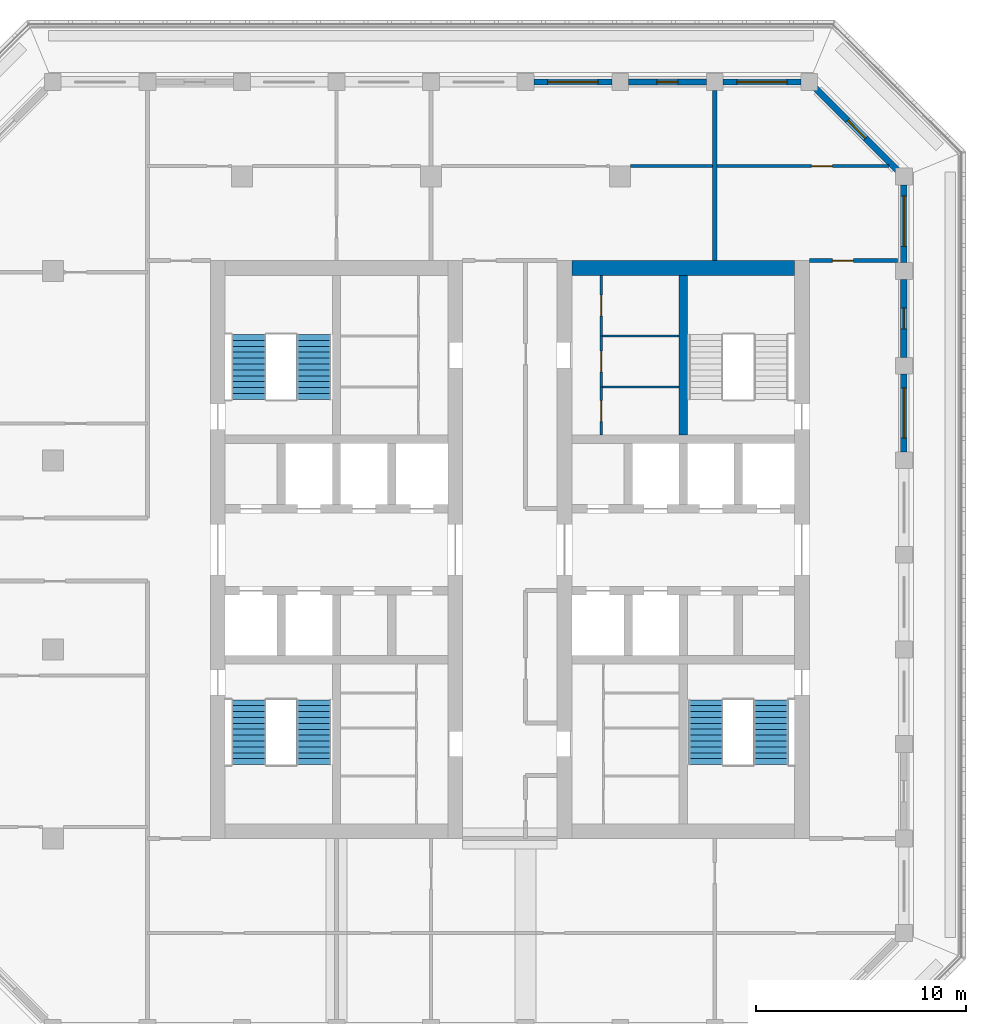
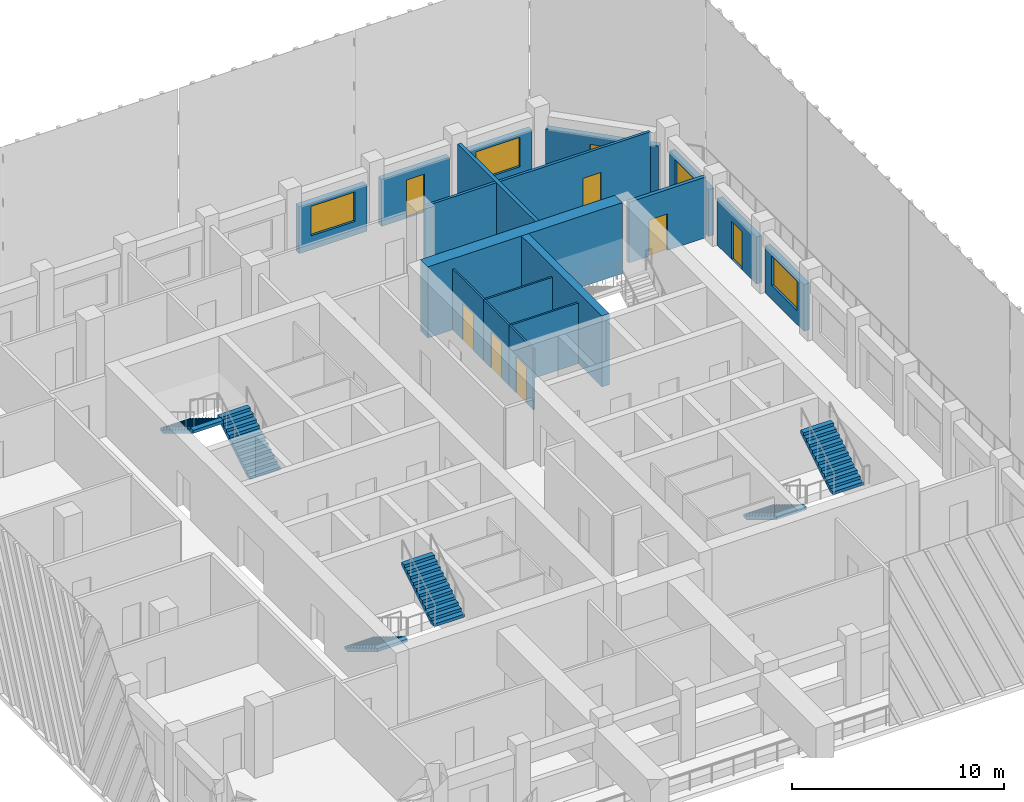
# One storey, part 7 of 16: 17 walls, 8 doors, 6 stair flights, 4 windows, 12 openings, 3 elements without a shape of their own.
"""IFC4 building model written with IfcOpenShell, lengths in metres."""

from ifc_helpers import new_model, si_unit, direction, frame, frame_2d, origin, place, context, subcontext, project, spatial, polyline, rectangle, outline, extrude, material, layer, layer_set, type_object, element, fill, aggregate, save


model = new_model("IFC4")

# Units and contexts
model_context = context("Model", 3, precision=1e-05, world=origin(), true_north=direction((0.0, 1.0)))
body_context = subcontext(model_context, "Body", "Model", "MODEL_VIEW")
ifc_project = project(units=[si_unit("LENGTHUNIT", "METRE"), si_unit("AREAUNIT", "SQUARE_METRE"), si_unit("VOLUMEUNIT", "CUBIC_METRE"), si_unit("PLANEANGLEUNIT", "RADIAN"), si_unit("MASSUNIT", "GRAM", prefix="KILO")], contexts=[model_context])

# Site, building, storey
site_placement = place(None, origin())
site = spatial("IfcSite", under=ifc_project, at=site_placement, CompositionType="ELEMENT")
building_placement = place(site_placement, origin())
building = spatial("IfcBuilding", under=site, at=building_placement, Name="Corbel Stack Research Tower", CompositionType="ELEMENT")
storey_placement = place(building_placement, frame((0.0, 0.0, 290.89990234375)))
storey = spatial("IfcBuildingStorey", under=building, at=storey_placement, Name="L66", CompositionType="ELEMENT", Elevation=290.89990234375)

# Walls
ifc_material_1 = material(Name="Concrete C60/75", Category="concrete")
ifc_layer_1 = layer(ifc_material_1, 0.39990234375)
ifc_layer_set_1 = layer_set([ifc_layer_1], Name="Concrete C60/75")
wall_type_1 = type_object("IfcWallType", Name="CW-400-60", PredefinedType="SHEAR", material=ifc_layer_set_1)
wall_1_placement = place(storey_placement, frame((12.0, 10.199951171875, 0.0), z_axis=(0.0, 0.0, 1.0), x_axis=(0.0, 1.0, 0.0)))
element("IfcWall", 1, at=wall_1_placement, inside=storey, type_object=wall_type_1, Name="East core wall, north stair and riser L66", PredefinedType="SHEAR", context=body_context, shape_type="SweptSolid", body=[
    extrude(rectangle(XDim=7.60009765625, YDim=0.39990234375, at=frame_2d((3.800048828125, 0.0))), origin(), (0.0, 0.0, 1.0), 4.10009765625),
])
ifc_material_2 = material(Name="Concrete C60/75", Category="concrete")
ifc_layer_2 = layer(ifc_material_2, 0.699951171875)
ifc_layer_set_2 = layer_set([ifc_layer_2], Name="Concrete C60/75")
wall_type_2 = type_object("IfcWallType", Name="CW-700-60", PredefinedType="SHEAR", material=ifc_layer_set_2)
wall_2_placement = place(storey_placement, frame((6.699951171875, 18.14990234375, 0.0), z_axis=(0.0, 0.0, 1.0), x_axis=(1.0, 0.0, 0.0)))
element("IfcWall", 2, at=wall_2_placement, inside=storey, type_object=wall_type_2, Name="East core wall, north end L66", PredefinedType="SHEAR", context=body_context, shape_type="SweptSolid", body=[
    extrude(rectangle(XDim=10.60009765625, YDim=0.699951171875, at=frame_2d((5.300048828125, 0.0))), origin(), (0.0, 0.0, 1.0), 4.10009765625),
])

# Wall, opening, door
ifc_material_3 = material(Name="Gypsum board")
ifc_layer_3 = layer(ifc_material_3, 0.10009765625)
ifc_layer_set_3 = layer_set([ifc_layer_3], Name="Gypsum board")
wall_type_3 = type_object("IfcWallType", Name="Core partition 100", PredefinedType="PARTITIONING", material=ifc_layer_set_3)
wall_3_placement = place(storey_placement, frame((8.10009765625, 10.199951171875, 0.0), z_axis=(0.0, 0.0, 1.0), x_axis=(0.0, 1.0, 0.0)))
wall_3 = element("IfcWall", 3, at=wall_3_placement, inside=storey, type_object=wall_type_3, Name="Core partition E", PredefinedType="PARTITIONING", context=body_context, shape_type="SweptSolid", body=[
    extrude(rectangle(XDim=2.280029296875, YDim=0.10009765625, at=frame_2d((1.14013671875, 0.0))), origin(), (0.0, 0.0, 1.0), 3.5),
])
opening_1_placement = place(wall_3_placement, frame((0.639892578125, 0.0, 0.0)))
opening_1 = element("IfcOpeningElement", 4, at=opening_1_placement, cuts=wall_3, Name="Opening CR-E42-R2-1000", PredefinedType="OPENING", context=body_context, shape_type="SweptSolid", body=[
    extrude(rectangle(XDim=1.0, YDim=2.10009765625, at=frame_2d((0.5, 1.050048828125))), frame((0.0, 0.06005859375, 0.0), z_axis=(0.0, -1.0, 0.0), x_axis=(1.0, 0.0, 0.0)), (0.0, 0.0, 1.0), 0.1201171875),
])
ifc_material_4 = material(Name="Painted steel door", Category="steel")
door_type_1 = type_object("IfcDoorType", Name="Riser door 1000 x 2100 FD60 left hand", OperationType="SINGLE_SWING_LEFT", PredefinedType="DOOR", material=ifc_material_4)
door_1_placement = place(opening_1_placement, origin())
door_1 = element("IfcDoor", 5, at=door_1_placement, inside=storey, type_object=door_type_1, Name="Mechanical riser door E core", OperationType="SINGLE_SWING_LEFT", OverallHeight=2.10009765625, OverallWidth=1.0, PredefinedType="DOOR", context=body_context, shape_type="SweptSolid", body=[
    extrude(rectangle(XDim=1.0, YDim=2.10009765625, at=frame_2d((0.5, 1.050048828125))), frame((0.0, 0.02490234375, 0.0), z_axis=(0.0, -1.0, 0.0), x_axis=(1.0, 0.0, 0.0)), (0.0, 0.0, 1.0), 0.050048828125),
])
fill(opening_1, door_1)

wall_4_placement = place(storey_placement, frame((8.10009765625, 12.47998046875, 0.0), z_axis=(0.0, 0.0, 1.0), x_axis=(0.0, 1.0, 0.0)))
wall_4 = element("IfcWall", 6, at=wall_4_placement, inside=storey, type_object=wall_type_3, Name="Core partition E", PredefinedType="PARTITIONING", context=body_context, shape_type="SweptSolid", body=[
    extrude(rectangle(XDim=2.43212890625, YDim=0.10009765625, at=frame_2d((1.216064453125, 0.0))), origin(), (0.0, 0.0, 1.0), 3.5),
])
opening_2_placement = place(wall_4_placement, frame((0.716064453125, 0.0, 0.0)))
opening_2 = element("IfcOpeningElement", 7, at=opening_2_placement, cuts=wall_4, Name="Opening CR-E42-R3-1000", PredefinedType="OPENING", context=body_context, shape_type="SweptSolid", body=[
    extrude(rectangle(XDim=1.0, YDim=2.10009765625, at=frame_2d((0.5, 1.050048828125))), frame((0.0, 0.06005859375, 0.0), z_axis=(0.0, -1.0, 0.0), x_axis=(1.0, 0.0, 0.0)), (0.0, 0.0, 1.0), 0.1201171875),
])
ifc_material_5 = material(Name="Painted steel door", Category="steel")
door_type_2 = type_object("IfcDoorType", Name="Service door 1000 x 2100 FD30 right hand", OperationType="SINGLE_SWING_RIGHT", PredefinedType="DOOR", material=ifc_material_5)
door_2_placement = place(opening_2_placement, origin())
door_2 = element("IfcDoor", 8, at=door_2_placement, inside=storey, type_object=door_type_2, Name="Pantry door E core", OperationType="SINGLE_SWING_RIGHT", OverallHeight=2.10009765625, OverallWidth=1.0, PredefinedType="DOOR", context=body_context, shape_type="SweptSolid", body=[
    extrude(rectangle(XDim=1.0, YDim=2.10009765625, at=frame_2d((0.5, 1.050048828125))), frame((0.0, 0.02490234375, 0.0), z_axis=(0.0, -1.0, 0.0), x_axis=(1.0, 0.0, 0.0)), (0.0, 0.0, 1.0), 0.050048828125),
])
fill(opening_2, door_2)

wall_5_placement = place(storey_placement, frame((8.10009765625, 14.912109375, 0.0), z_axis=(0.0, 0.0, 1.0), x_axis=(0.0, 1.0, 0.0)))
wall_5 = element("IfcWall", 9, at=wall_5_placement, inside=storey, type_object=wall_type_3, Name="Core partition E", PredefinedType="PARTITIONING", context=body_context, shape_type="SweptSolid", body=[
    extrude(rectangle(XDim=2.887939453125, YDim=0.10009765625, at=frame_2d((1.44384765625, 0.0))), origin(), (0.0, 0.0, 1.0), 3.5),
])
opening_3_placement = place(wall_5_placement, frame((0.944091796875, 0.0, 0.0)))
opening_3 = element("IfcOpeningElement", 10, at=opening_3_placement, cuts=wall_5, Name="Opening CR-E42-R4-1000", PredefinedType="OPENING", context=body_context, shape_type="SweptSolid", body=[
    extrude(rectangle(XDim=1.0, YDim=2.10009765625, at=frame_2d((0.5, 1.050048828125))), frame((0.0, 0.06005859375, 0.0), z_axis=(0.0, -1.0, 0.0), x_axis=(1.0, 0.0, 0.0)), (0.0, 0.0, 1.0), 0.1201171875),
])
door_3_placement = place(opening_3_placement, origin())
door_3 = element("IfcDoor", 11, at=door_3_placement, inside=storey, type_object=door_type_1, Name="Electrical riser door E core", OperationType="SINGLE_SWING_LEFT", OverallHeight=2.10009765625, OverallWidth=1.0, PredefinedType="DOOR", context=body_context, shape_type="SweptSolid", body=[
    extrude(rectangle(XDim=1.0, YDim=2.10009765625, at=frame_2d((0.5, 1.050048828125))), frame((0.0, 0.02490234375, 0.0), z_axis=(0.0, -1.0, 0.0), x_axis=(1.0, 0.0, 0.0)), (0.0, 0.0, 1.0), 0.050048828125),
])
fill(opening_3, door_3)

# Walls
for number, where, z_axis, x_axis, name in (
    (12, (8.10009765625, 12.47998046875, 0.0), (0.0, 0.0, 1.0), (1.0, 0.0, 0.0), "Core partition E"),
    (13, (8.10009765625, 14.912109375, 0.0), (0.0, 0.0, 1.0), (1.0, 0.0, 0.0), "Core partition E"),
):
    element("IfcWall", number, at=place(storey_placement, frame(where, z_axis=z_axis, x_axis=x_axis)), inside=storey, type_object=wall_type_3, Name=name, PredefinedType="PARTITIONING", context=body_context, shape_type="SweptSolid", body=[
        extrude(rectangle(XDim=3.699951171875, YDim=0.10009765625, at=frame_2d((1.85009765625, 0.0))), origin(), (0.0, 0.0, 1.0), 3.5),
    ])
ifc_material_6 = material(Name="Fire-rated gypsum board partition on steel studs", Category="steel")
ifc_layer_4 = layer(ifc_material_6, 0.199951171875)
ifc_layer_set_4 = layer_set([ifc_layer_4], Name="Fire-rated gypsum board partition on steel studs")
wall_type_4 = type_object("IfcWallType", Name="Fire-rated partition 200 EI 60", PredefinedType="PARTITIONING", material=ifc_layer_set_4)
wall_6_placement = place(storey_placement, frame((13.5, 18.5, 0.0), z_axis=(0.0, 0.0, 1.0), x_axis=(0.0, 1.0, 0.0)))
element("IfcWall", 14, at=wall_6_placement, inside=storey, type_object=wall_type_4, Name="Partition L66-013", PredefinedType="PARTITIONING", context=body_context, shape_type="SweptSolid", body=[
    extrude(rectangle(XDim=8.10009765625, YDim=0.199951171875, at=frame_2d((4.050048828125, 0.0))), origin(), (0.0, 0.0, 1.0), 3.5),
])

# Wall, opening, door
wall_7_placement = place(storey_placement, frame((18.0, 18.5, 0.0), z_axis=(0.0, 0.0, 1.0), x_axis=(1.0, 0.0, 0.0)))
wall_7 = element("IfcWall", 15, at=wall_7_placement, inside=storey, type_object=wall_type_4, Name="Partition L66-036", PredefinedType="PARTITIONING", context=body_context, shape_type="SweptSolid", body=[
    extrude(rectangle(XDim=4.200927734375, YDim=0.199951171875, at=frame_2d((2.1005859375, 0.0))), origin(), (0.0, 0.0, 1.0), 3.5),
])
opening_4_placement = place(wall_7_placement, frame((1.10009765625, 0.0, 0.0)))
opening_4 = element("IfcOpeningElement", 16, at=opening_4_placement, cuts=wall_7, Name="Opening B8V2P-021", PredefinedType="OPENING", context=body_context, shape_type="SweptSolid", body=[
    extrude(rectangle(XDim=1.0, YDim=2.10009765625, at=frame_2d((0.5, 1.050048828125))), frame((0.0, 0.10986328125, 0.0), z_axis=(0.0, -1.0, 0.0), x_axis=(1.0, 0.0, 0.0)), (0.0, 0.0, 1.0), 0.219970703125),
])
ifc_material_7 = material(Name="Painted steel fire door", Category="steel")
door_type_3 = type_object("IfcDoorType", Name="Fire door FD30S 1000 x 2100", OperationType="NOTDEFINED", PredefinedType="DOOR", material=ifc_material_7)
door_4_placement = place(opening_4_placement, origin())
door_4 = element("IfcDoor", 17, at=door_4_placement, inside=storey, type_object=door_type_3, Name="Door B8V2P-021", OperationType="SINGLE_SWING_LEFT", OverallHeight=2.10009765625, OverallWidth=1.0, PredefinedType="DOOR", context=body_context, shape_type="SweptSolid", body=[
    extrude(rectangle(XDim=1.0, YDim=2.10009765625, at=frame_2d((0.5, 1.050048828125))), frame((0.0, 0.02490234375, 0.0), z_axis=(0.0, -1.0, 0.0), x_axis=(1.0, 0.0, 0.0)), (0.0, 0.0, 1.0), 0.050048828125),
])
fill(opening_4, door_4)

ifc_material_8 = material(Name="Gypsum board partition on steel studs", Category="steel")
ifc_layer_5 = layer(ifc_material_8, 0.14990234375)
ifc_layer_set_5 = layer_set([ifc_layer_5], Name="Gypsum board partition on steel studs")
wall_type_5 = type_object("IfcWallType", Name="Partition 150", PredefinedType="PARTITIONING", material=ifc_layer_set_5)
wall_8_placement = place(storey_placement, frame((9.5, 23.0, 0.0), z_axis=(0.0, 0.0, 1.0), x_axis=(1.0, 0.0, 0.0)))
wall_8 = element("IfcWall", 18, at=wall_8_placement, inside=storey, type_object=wall_type_5, Name="Partition L66-040", PredefinedType="PARTITIONING", context=body_context, shape_type="SweptSolid", body=[
    extrude(rectangle(XDim=12.287841796875, YDim=0.14990234375, at=frame_2d((6.14404296875, 0.0))), origin(), (0.0, 0.0, 1.0), 3.5),
])
opening_5_placement = place(wall_8_placement, frame((8.60009765625, 0.0, 0.0)))
opening_5 = element("IfcOpeningElement", 19, at=opening_5_placement, cuts=wall_8, Name="Opening B8V2P-025", PredefinedType="OPENING", context=body_context, shape_type="SweptSolid", body=[
    extrude(rectangle(XDim=1.0, YDim=2.10009765625, at=frame_2d((0.5, 1.050048828125))), frame((0.0, 0.0849609375, 0.0), z_axis=(0.0, -1.0, 0.0), x_axis=(1.0, 0.0, 0.0)), (0.0, 0.0, 1.0), 0.169921875),
])
ifc_material_9 = material(Name="Painted timber door", Category="wood")
door_type_4 = type_object("IfcDoorType", Name="Single door 1000 x 2100", OperationType="NOTDEFINED", PredefinedType="DOOR", material=ifc_material_9)
door_5_placement = place(opening_5_placement, origin())
door_5 = element("IfcDoor", 20, at=door_5_placement, inside=storey, type_object=door_type_4, Name="Door B8V2P-025", OperationType="SINGLE_SWING_RIGHT", OverallHeight=2.10009765625, OverallWidth=1.0, PredefinedType="DOOR", context=body_context, shape_type="SweptSolid", body=[
    extrude(rectangle(XDim=1.0, YDim=2.10009765625, at=frame_2d((0.5, 1.050048828125))), frame((0.0, 0.02490234375, 0.0), z_axis=(0.0, -1.0, 0.0), x_axis=(1.0, 0.0, 0.0)), (0.0, 0.0, 1.0), 0.050048828125),
])
fill(opening_5, door_5)

# Wall, opening, window
ifc_material_10 = material(Name="Concrete C45/55", Category="concrete")
ifc_layer_6 = layer(ifc_material_10, 0.300048828125)
ifc_layer_set_6 = layer_set([ifc_layer_6], Name="Concrete C45/55")
wall_type_6 = type_object("IfcWallType", Name="Terracotta-faced concrete wall 300", PredefinedType="SOLIDWALL", material=ifc_layer_set_6)
wall_9_placement = place(storey_placement, frame((22.5, 13.10009765625, 0.0), z_axis=(0.0, 0.0, 1.0), x_axis=(0.0, -1.0, 0.0)))
wall_9 = element("IfcWall", 21, at=wall_9_placement, inside=storey, type_object=wall_type_6, Name="Facade wall L66 E06", PredefinedType="SOLIDWALL", context=body_context, shape_type="SweptSolid", body=[
    extrude(rectangle(XDim=3.7001953125, YDim=0.300048828125, at=frame_2d((1.85009765625, 0.0))), origin(), (0.0, 0.0, 1.0), 2.7001953125),
])
opening_6_placement = place(wall_9_placement, frame((0.64990234375, 0.0, 0.800048828125)))
opening_6 = element("IfcOpeningElement", 22, at=opening_6_placement, cuts=wall_9, Name="Opening W1", PredefinedType="OPENING", context=body_context, shape_type="SweptSolid", body=[
    extrude(rectangle(XDim=2.39990234375, YDim=1.699951171875, at=frame_2d((1.199951171875, 0.85009765625))), frame((0.0, 0.159912109375, 0.0), z_axis=(0.0, -1.0, 0.0), x_axis=(1.0, 0.0, 0.0)), (0.0, 0.0, 1.0), 0.320068359375),
])
ifc_material_11 = material(Name="Aluminium frame, clear double glazing", Category="aluminium")
window_type = type_object("IfcWindowType", Name="Window W1 2400 x 1700", PartitioningType="SINGLE_PANEL", PredefinedType="WINDOW", material=ifc_material_11)
window_1_placement = place(opening_6_placement, origin())
window_1 = element("IfcWindow", 23, at=window_1_placement, inside=storey, type_object=window_type, Name="Window W1 L66 E06", OverallHeight=1.699951171875, OverallWidth=2.39990234375, PartitioningType="SINGLE_PANEL", PredefinedType="WINDOW", context=body_context, shape_type="SweptSolid", body=[
    extrude(rectangle(XDim=2.39990234375, YDim=1.699951171875, at=frame_2d((1.199951171875, 0.85009765625))), frame((0.0, 0.030029296875, 0.0), z_axis=(0.0, -1.0, 0.0), x_axis=(1.0, 0.0, 0.0)), (0.0, 0.0, 1.0), 0.06005859375),
])
fill(opening_6, window_1)

# Wall, opening, door
wall_10_placement = place(storey_placement, frame((22.5, 17.60009765625, 0.0), z_axis=(0.0, 0.0, 1.0), x_axis=(0.0, -1.0, 0.0)))
wall_10 = element("IfcWall", 24, at=wall_10_placement, inside=storey, type_object=wall_type_6, Name="Facade wall L66 E07", PredefinedType="SOLIDWALL", context=body_context, shape_type="SweptSolid", body=[
    extrude(rectangle(XDim=3.7001953125, YDim=0.300048828125, at=frame_2d((1.85009765625, 0.0))), origin(), (0.0, 0.0, 1.0), 2.7001953125),
])
opening_7_placement = place(wall_10_placement, frame((1.35009765625, 0.0, 0.0)))
opening_7 = element("IfcOpeningElement", 25, at=opening_7_placement, cuts=wall_10, Name="Opening L66-B05", PredefinedType="OPENING", context=body_context, shape_type="SweptSolid", body=[
    extrude(rectangle(XDim=1.0, YDim=2.199951171875, at=frame_2d((0.5, 1.10009765625))), frame((0.0, 0.159912109375, 0.0), z_axis=(0.0, -1.0, 0.0), x_axis=(1.0, 0.0, 0.0)), (0.0, 0.0, 1.0), 0.320068359375),
])
ifc_material_12 = material(Name="Aluminium frame, clear double glazing", Category="aluminium")
door_type_5 = type_object("IfcDoorType", Name="Balcony door BD1 1000 x 2200", OperationType="NOTDEFINED", PredefinedType="DOOR", material=ifc_material_12)
door_6_placement = place(opening_7_placement, origin())
door_6 = element("IfcDoor", 26, at=door_6_placement, inside=storey, type_object=door_type_5, Name="Balcony door L66-B05", OperationType="SINGLE_SWING_LEFT", OverallHeight=2.199951171875, OverallWidth=1.0, PredefinedType="DOOR", context=body_context, shape_type="SweptSolid", body=[
    extrude(rectangle(XDim=1.0, YDim=2.199951171875, at=frame_2d((0.5, 1.10009765625))), frame((0.0, 0.02490234375, 0.0), z_axis=(0.0, -1.0, 0.0), x_axis=(1.0, 0.0, 0.0)), (0.0, 0.0, 1.0), 0.050048828125),
])
fill(opening_7, door_6)

# Wall, opening, window
wall_11_placement = place(storey_placement, frame((22.5, 22.10009765625, 0.0), z_axis=(0.0, 0.0, 1.0), x_axis=(0.0, -1.0, 0.0)))
wall_11 = element("IfcWall", 27, at=wall_11_placement, inside=storey, type_object=wall_type_6, Name="Facade wall L66 E08", PredefinedType="SOLIDWALL", context=body_context, shape_type="SweptSolid", body=[
    extrude(rectangle(XDim=3.7001953125, YDim=0.300048828125, at=frame_2d((1.85009765625, 0.0))), origin(), (0.0, 0.0, 1.0), 2.7001953125),
])
opening_8_placement = place(wall_11_placement, frame((0.52490234375, 0.0, 0.800048828125)))
opening_8 = element("IfcOpeningElement", 28, at=opening_8_placement, cuts=wall_11, Name="Opening W1", PredefinedType="OPENING", context=body_context, shape_type="SweptSolid", body=[
    extrude(rectangle(XDim=2.39990234375, YDim=1.699951171875, at=frame_2d((1.199951171875, 0.85009765625))), frame((0.0, 0.159912109375, 0.0), z_axis=(0.0, -1.0, 0.0), x_axis=(1.0, 0.0, 0.0)), (0.0, 0.0, 1.0), 0.320068359375),
])
window_2_placement = place(opening_8_placement, origin())
window_2 = element("IfcWindow", 29, at=window_2_placement, inside=storey, type_object=window_type, Name="Window W1 L66 E08", OverallHeight=1.699951171875, OverallWidth=2.39990234375, PartitioningType="SINGLE_PANEL", PredefinedType="WINDOW", context=body_context, shape_type="SweptSolid", body=[
    extrude(rectangle(XDim=2.39990234375, YDim=1.699951171875, at=frame_2d((1.199951171875, 0.85009765625))), frame((0.0, 0.030029296875, 0.0), z_axis=(0.0, -1.0, 0.0), x_axis=(1.0, 0.0, 0.0)), (0.0, 0.0, 1.0), 0.06005859375),
])
fill(opening_8, window_2)

# Wall, opening, door
wall_12_placement = place(storey_placement, frame((18.2939453125, 26.7060546875, 0.0), z_axis=(0.0, 0.0, 1.0), x_axis=(0.707106781187, -0.707106781187, 0.0)))
wall_12 = element("IfcWall", 30, at=wall_12_placement, inside=storey, type_object=wall_type_6, Name="Facade wall L66 NE01", PredefinedType="SOLIDWALL", context=body_context, shape_type="SweptSolid", body=[
    extrude(rectangle(XDim=5.532470703125, YDim=0.300048828125, at=frame_2d((2.76611328125, 0.0))), origin(), (0.0, 0.0, 1.0), 2.7001953125),
])
opening_9_placement = place(wall_12_placement, frame((2.166259765625, 0.0, 0.0)))
opening_9 = element("IfcOpeningElement", 31, at=opening_9_placement, cuts=wall_12, Name="Opening L66-B06", PredefinedType="OPENING", context=body_context, shape_type="SweptSolid", body=[
    extrude(rectangle(XDim=1.199951171875, YDim=2.199951171875, at=frame_2d((0.60009765625, 1.10009765625))), frame((0.0, 0.159912109375, 0.0), z_axis=(0.0, -1.0, 0.0), x_axis=(1.0, 0.0, 0.0)), (0.0, 0.0, 1.0), 0.320068359375),
])
ifc_material_13 = material(Name="Aluminium frame, clear double glazing", Category="aluminium")
door_type_6 = type_object("IfcDoorType", Name="Balcony door BD2 1200 x 2200", OperationType="NOTDEFINED", PredefinedType="DOOR", material=ifc_material_13)
door_7_placement = place(opening_9_placement, origin())
door_7 = element("IfcDoor", 32, at=door_7_placement, inside=storey, type_object=door_type_6, Name="Balcony door L66-B06", OperationType="SINGLE_SWING_LEFT", OverallHeight=2.199951171875, OverallWidth=1.199951171875, PredefinedType="DOOR", context=body_context, shape_type="SweptSolid", body=[
    extrude(rectangle(XDim=1.199951171875, YDim=2.199951171875, at=frame_2d((0.60009765625, 1.10009765625))), frame((0.0, 0.02490234375, 0.0), z_axis=(0.0, -1.0, 0.0), x_axis=(1.0, 0.0, 0.0)), (0.0, 0.0, 1.0), 0.050048828125),
])
fill(opening_9, door_7)

# Wall, opening, window
wall_13_placement = place(storey_placement, frame((13.89990234375, 27.0, 0.0), z_axis=(0.0, 0.0, 1.0), x_axis=(1.0, 0.0, 0.0)))
wall_13 = element("IfcWall", 33, at=wall_13_placement, inside=storey, type_object=wall_type_6, Name="Facade wall L66 N01", PredefinedType="SOLIDWALL", context=body_context, shape_type="SweptSolid", body=[
    extrude(rectangle(XDim=3.7001953125, YDim=0.300048828125, at=frame_2d((1.85009765625, 0.0))), origin(), (0.0, 0.0, 1.0), 2.7001953125),
])
opening_10_placement = place(wall_13_placement, frame((0.64990234375, 0.0, 0.800048828125)))
opening_10 = element("IfcOpeningElement", 34, at=opening_10_placement, cuts=wall_13, Name="Opening W1", PredefinedType="OPENING", context=body_context, shape_type="SweptSolid", body=[
    extrude(rectangle(XDim=2.39990234375, YDim=1.699951171875, at=frame_2d((1.199951171875, 0.85009765625))), frame((0.0, 0.159912109375, 0.0), z_axis=(0.0, -1.0, 0.0), x_axis=(1.0, 0.0, 0.0)), (0.0, 0.0, 1.0), 0.320068359375),
])
window_3_placement = place(opening_10_placement, origin())
window_3 = element("IfcWindow", 35, at=window_3_placement, inside=storey, type_object=window_type, Name="Window W1 L66 N01", OverallHeight=1.699951171875, OverallWidth=2.39990234375, PartitioningType="SINGLE_PANEL", PredefinedType="WINDOW", context=body_context, shape_type="SweptSolid", body=[
    extrude(rectangle(XDim=2.39990234375, YDim=1.699951171875, at=frame_2d((1.199951171875, 0.85009765625))), frame((0.0, 0.030029296875, 0.0), z_axis=(0.0, -1.0, 0.0), x_axis=(1.0, 0.0, 0.0)), (0.0, 0.0, 1.0), 0.06005859375),
])
fill(opening_10, window_3)

# Wall, opening, door
wall_14_placement = place(storey_placement, frame((9.39990234375, 27.0, 0.0), z_axis=(0.0, 0.0, 1.0), x_axis=(1.0, 0.0, 0.0)))
wall_14 = element("IfcWall", 36, at=wall_14_placement, inside=storey, type_object=wall_type_6, Name="Facade wall L66 N02", PredefinedType="SOLIDWALL", context=body_context, shape_type="SweptSolid", body=[
    extrude(rectangle(XDim=3.7001953125, YDim=0.300048828125, at=frame_2d((1.85009765625, 0.0))), origin(), (0.0, 0.0, 1.0), 2.7001953125),
])
opening_11_placement = place(wall_14_placement, frame((1.35009765625, 0.0, 0.0)))
opening_11 = element("IfcOpeningElement", 37, at=opening_11_placement, cuts=wall_14, Name="Opening L66-B07", PredefinedType="OPENING", context=body_context, shape_type="SweptSolid", body=[
    extrude(rectangle(XDim=1.0, YDim=2.199951171875, at=frame_2d((0.5, 1.10009765625))), frame((0.0, 0.159912109375, 0.0), z_axis=(0.0, -1.0, 0.0), x_axis=(1.0, 0.0, 0.0)), (0.0, 0.0, 1.0), 0.320068359375),
])
door_8_placement = place(opening_11_placement, origin())
door_8 = element("IfcDoor", 38, at=door_8_placement, inside=storey, type_object=door_type_5, Name="Balcony door L66-B07", OperationType="SINGLE_SWING_RIGHT", OverallHeight=2.199951171875, OverallWidth=1.0, PredefinedType="DOOR", context=body_context, shape_type="SweptSolid", body=[
    extrude(rectangle(XDim=1.0, YDim=2.199951171875, at=frame_2d((0.5, 1.10009765625))), frame((0.0, 0.02490234375, 0.0), z_axis=(0.0, -1.0, 0.0), x_axis=(1.0, 0.0, 0.0)), (0.0, 0.0, 1.0), 0.050048828125),
])
fill(opening_11, door_8)

# Wall, opening, window
wall_15_placement = place(storey_placement, frame((4.89990234375, 27.0, 0.0), z_axis=(0.0, 0.0, 1.0), x_axis=(1.0, 0.0, 0.0)))
wall_15 = element("IfcWall", 39, at=wall_15_placement, inside=storey, type_object=wall_type_6, Name="Facade wall L66 N03", PredefinedType="SOLIDWALL", context=body_context, shape_type="SweptSolid", body=[
    extrude(rectangle(XDim=3.7001953125, YDim=0.300048828125, at=frame_2d((1.85009765625, 0.0))), origin(), (0.0, 0.0, 1.0), 2.7001953125),
])
opening_12_placement = place(wall_15_placement, frame((0.64990234375, 0.0, 0.800048828125)))
opening_12 = element("IfcOpeningElement", 40, at=opening_12_placement, cuts=wall_15, Name="Opening W1", PredefinedType="OPENING", context=body_context, shape_type="SweptSolid", body=[
    extrude(rectangle(XDim=2.39990234375, YDim=1.699951171875, at=frame_2d((1.199951171875, 0.85009765625))), frame((0.0, 0.159912109375, 0.0), z_axis=(0.0, -1.0, 0.0), x_axis=(1.0, 0.0, 0.0)), (0.0, 0.0, 1.0), 0.320068359375),
])
window_4_placement = place(opening_12_placement, origin())
window_4 = element("IfcWindow", 41, at=window_4_placement, inside=storey, type_object=window_type, Name="Window W1 L66 N03", OverallHeight=1.699951171875, OverallWidth=2.39990234375, PartitioningType="SINGLE_PANEL", PredefinedType="WINDOW", context=body_context, shape_type="SweptSolid", body=[
    extrude(rectangle(XDim=2.39990234375, YDim=1.699951171875, at=frame_2d((1.199951171875, 0.85009765625))), frame((0.0, 0.030029296875, 0.0), z_axis=(0.0, -1.0, 0.0), x_axis=(1.0, 0.0, 0.0)), (0.0, 0.0, 1.0), 0.06005859375),
])
fill(opening_12, window_4)

# Stair, stair flights
ifc_material_14 = material(Name="Concrete C40/50", Category="concrete")
stair_type = type_object("IfcStairType", Name="Exit stair 24 risers", PredefinedType="HALF_TURN_STAIR", material=ifc_material_14)
stair_1_placement = place(storey_placement, origin())
stair_1 = element("IfcStair", 42, at=stair_1_placement, inside=storey, type_object=stair_type, Name="L66 Exit stair ST-W1", PredefinedType="HALF_TURN_STAIR")
ifc_material_15 = material(Name="Concrete C40/50", Category="concrete")
stair_flight_type = type_object("IfcStairFlightType", Name="Stair flight 12 risers", PredefinedType="STRAIGHT", material=ifc_material_15)
stair_flight_1_placement = place(storey_placement, frame((-8.675048828125, -2.39990234375, 0.0), z_axis=(0.0, 0.0, 1.0), x_axis=(0.0, -1.0, 0.0)))
stair_flight_1 = element("IfcStairFlight", 43, at=stair_flight_1_placement, type_object=stair_flight_type, Name="ST-W1 flight 1", NumberOfRisers=12, NumberOfTreads=11, PredefinedType="STRAIGHT", RiserHeight=0.170833333, TreadLength=0.28, context=body_context, shape_type="SweptSolid", body=[
    extrude(outline(polyline([(0.0, 0.0), (0.0, 0.1708984375), (0.280029296875, 0.1708984375), (0.280029296875, 0.341552734375), (0.56005859375, 0.341552734375), (0.56005859375, 0.512451171875), (0.840087890625, 0.512451171875), (0.840087890625, 0.683349609375), (1.1201171875, 0.683349609375), (1.1201171875, 0.854248046875), (1.39990234375, 0.854248046875), (1.39990234375, 1.02490234375), (1.679931640625, 1.02490234375), (1.679931640625, 1.19580078125), (1.9599609375, 1.19580078125), (1.9599609375, 1.36669921875), (2.239990234375, 1.36669921875), (2.239990234375, 1.53759765625), (2.52001953125, 1.53759765625), (2.52001953125, 1.708251953125), (2.800048828125, 1.708251953125), (2.800048828125, 1.879150390625), (3.080078125, 1.879150390625), (3.080078125, 2.050048828125), (3.080078125, 1.70361328125), (0.287841796875, 0.0), (0.0, 0.0)])), frame((0.0, 0.824951171875, 0.0), z_axis=(0.0, -1.0, 0.0), x_axis=(1.0, 0.0, 0.0)), (0.0, 0.0, 1.0), 1.64990234375),
])
stair_flight_2_placement = place(storey_placement, frame((-5.574951171875, -5.47998046875, 2.050048828125), z_axis=(0.0, 0.0, 1.0), x_axis=(0.0, 1.0, 0.0)))
stair_flight_2 = element("IfcStairFlight", 44, at=stair_flight_2_placement, type_object=stair_flight_type, Name="ST-W1 flight 2", NumberOfRisers=12, NumberOfTreads=11, PredefinedType="STRAIGHT", RiserHeight=0.170833333, TreadLength=0.28, context=body_context, shape_type="SweptSolid", body=[
    extrude(outline(polyline([(0.0, 0.0), (0.0, 0.1708984375), (0.280029296875, 0.1708984375), (0.280029296875, 0.341552734375), (0.56005859375, 0.341552734375), (0.56005859375, 0.512451171875), (0.840087890625, 0.512451171875), (0.840087890625, 0.683349609375), (1.1201171875, 0.683349609375), (1.1201171875, 0.854248046875), (1.39990234375, 0.854248046875), (1.39990234375, 1.02490234375), (1.679931640625, 1.02490234375), (1.679931640625, 1.19580078125), (1.9599609375, 1.19580078125), (1.9599609375, 1.36669921875), (2.239990234375, 1.36669921875), (2.239990234375, 1.53759765625), (2.52001953125, 1.53759765625), (2.52001953125, 1.708251953125), (2.800048828125, 1.708251953125), (2.800048828125, 1.879150390625), (3.080078125, 1.879150390625), (3.080078125, 2.050048828125), (3.080078125, 1.70361328125), (0.287841796875, 0.0), (0.0, 0.0)])), frame((0.0, 0.824951171875, 0.0), z_axis=(0.0, -1.0, 0.0), x_axis=(1.0, 0.0, 0.0)), (0.0, 0.0, 1.0), 1.64990234375),
])
aggregate(stair_1, [stair_flight_1, stair_flight_2])

stair_2_placement = place(storey_placement, origin())
stair_2 = element("IfcStair", 45, at=stair_2_placement, inside=storey, type_object=stair_type, Name="L66 Exit stair ST-W2", PredefinedType="HALF_TURN_STAIR")
stair_flight_3_placement = place(storey_placement, frame((-5.574951171875, 11.89990234375, 0.0), z_axis=(0.0, 0.0, 1.0), x_axis=(0.0, 1.0, 0.0)))
stair_flight_3 = element("IfcStairFlight", 46, at=stair_flight_3_placement, type_object=stair_flight_type, Name="ST-W2 flight 1", NumberOfRisers=12, NumberOfTreads=11, PredefinedType="STRAIGHT", RiserHeight=0.170833333, TreadLength=0.28, context=body_context, shape_type="SweptSolid", body=[
    extrude(outline(polyline([(0.0, 0.0), (0.0, 0.1708984375), (0.280029296875, 0.1708984375), (0.280029296875, 0.341552734375), (0.56005859375, 0.341552734375), (0.56005859375, 0.512451171875), (0.840087890625, 0.512451171875), (0.840087890625, 0.683349609375), (1.1201171875, 0.683349609375), (1.1201171875, 0.854248046875), (1.39990234375, 0.854248046875), (1.39990234375, 1.02490234375), (1.679931640625, 1.02490234375), (1.679931640625, 1.19580078125), (1.9599609375, 1.19580078125), (1.9599609375, 1.36669921875), (2.239990234375, 1.36669921875), (2.239990234375, 1.53759765625), (2.52001953125, 1.53759765625), (2.52001953125, 1.708251953125), (2.800048828125, 1.708251953125), (2.800048828125, 1.879150390625), (3.080078125, 1.879150390625), (3.080078125, 2.050048828125), (3.080078125, 1.70361328125), (0.287841796875, 0.0), (0.0, 0.0)])), frame((0.0, 0.824951171875, 0.0), z_axis=(0.0, -1.0, 0.0), x_axis=(1.0, 0.0, 0.0)), (0.0, 0.0, 1.0), 1.64990234375),
])
stair_flight_4_placement = place(storey_placement, frame((-8.675048828125, 14.97998046875, 2.050048828125), z_axis=(0.0, 0.0, 1.0), x_axis=(0.0, -1.0, 0.0)))
stair_flight_4 = element("IfcStairFlight", 47, at=stair_flight_4_placement, type_object=stair_flight_type, Name="ST-W2 flight 2", NumberOfRisers=12, NumberOfTreads=11, PredefinedType="STRAIGHT", RiserHeight=0.170833333, TreadLength=0.28, context=body_context, shape_type="SweptSolid", body=[
    extrude(outline(polyline([(0.0, 0.0), (0.0, 0.1708984375), (0.280029296875, 0.1708984375), (0.280029296875, 0.341552734375), (0.56005859375, 0.341552734375), (0.56005859375, 0.512451171875), (0.840087890625, 0.512451171875), (0.840087890625, 0.683349609375), (1.1201171875, 0.683349609375), (1.1201171875, 0.854248046875), (1.39990234375, 0.854248046875), (1.39990234375, 1.02490234375), (1.679931640625, 1.02490234375), (1.679931640625, 1.19580078125), (1.9599609375, 1.19580078125), (1.9599609375, 1.36669921875), (2.239990234375, 1.36669921875), (2.239990234375, 1.53759765625), (2.52001953125, 1.53759765625), (2.52001953125, 1.708251953125), (2.800048828125, 1.708251953125), (2.800048828125, 1.879150390625), (3.080078125, 1.879150390625), (3.080078125, 2.050048828125), (3.080078125, 1.70361328125), (0.287841796875, 0.0), (0.0, 0.0)])), frame((0.0, 0.824951171875, 0.0), z_axis=(0.0, -1.0, 0.0), x_axis=(1.0, 0.0, 0.0)), (0.0, 0.0, 1.0), 1.64990234375),
])
aggregate(stair_2, [stair_flight_3, stair_flight_4])

stair_3_placement = place(storey_placement, origin())
stair_3 = element("IfcStair", 48, at=stair_3_placement, inside=storey, type_object=stair_type, Name="L66 Exit stair ST-E1", PredefinedType="HALF_TURN_STAIR")
stair_flight_5_placement = place(storey_placement, frame((13.074951171875, -2.39990234375, 0.0), z_axis=(0.0, 0.0, 1.0), x_axis=(0.0, -1.0, 0.0)))
stair_flight_5 = element("IfcStairFlight", 49, at=stair_flight_5_placement, type_object=stair_flight_type, Name="ST-E1 flight 1", NumberOfRisers=12, NumberOfTreads=11, PredefinedType="STRAIGHT", RiserHeight=0.170833333, TreadLength=0.28, context=body_context, shape_type="SweptSolid", body=[
    extrude(outline(polyline([(0.0, 0.0), (0.0, 0.1708984375), (0.280029296875, 0.1708984375), (0.280029296875, 0.341552734375), (0.56005859375, 0.341552734375), (0.56005859375, 0.512451171875), (0.840087890625, 0.512451171875), (0.840087890625, 0.683349609375), (1.1201171875, 0.683349609375), (1.1201171875, 0.854248046875), (1.39990234375, 0.854248046875), (1.39990234375, 1.02490234375), (1.679931640625, 1.02490234375), (1.679931640625, 1.19580078125), (1.9599609375, 1.19580078125), (1.9599609375, 1.36669921875), (2.239990234375, 1.36669921875), (2.239990234375, 1.53759765625), (2.52001953125, 1.53759765625), (2.52001953125, 1.708251953125), (2.800048828125, 1.708251953125), (2.800048828125, 1.879150390625), (3.080078125, 1.879150390625), (3.080078125, 2.050048828125), (3.080078125, 1.70361328125), (0.287841796875, 0.0), (0.0, 0.0)])), frame((0.0, 0.824951171875, 0.0), z_axis=(0.0, -1.0, 0.0), x_axis=(1.0, 0.0, 0.0)), (0.0, 0.0, 1.0), 1.64990234375),
])
stair_flight_6_placement = place(storey_placement, frame((16.175048828125, -5.47998046875, 2.050048828125), z_axis=(0.0, 0.0, 1.0), x_axis=(0.0, 1.0, 0.0)))
stair_flight_6 = element("IfcStairFlight", 50, at=stair_flight_6_placement, type_object=stair_flight_type, Name="ST-E1 flight 2", NumberOfRisers=12, NumberOfTreads=11, PredefinedType="STRAIGHT", RiserHeight=0.170833333, TreadLength=0.28, context=body_context, shape_type="SweptSolid", body=[
    extrude(outline(polyline([(0.0, 0.0), (0.0, 0.1708984375), (0.280029296875, 0.1708984375), (0.280029296875, 0.341552734375), (0.56005859375, 0.341552734375), (0.56005859375, 0.512451171875), (0.840087890625, 0.512451171875), (0.840087890625, 0.683349609375), (1.1201171875, 0.683349609375), (1.1201171875, 0.854248046875), (1.39990234375, 0.854248046875), (1.39990234375, 1.02490234375), (1.679931640625, 1.02490234375), (1.679931640625, 1.19580078125), (1.9599609375, 1.19580078125), (1.9599609375, 1.36669921875), (2.239990234375, 1.36669921875), (2.239990234375, 1.53759765625), (2.52001953125, 1.53759765625), (2.52001953125, 1.708251953125), (2.800048828125, 1.708251953125), (2.800048828125, 1.879150390625), (3.080078125, 1.879150390625), (3.080078125, 2.050048828125), (3.080078125, 1.70361328125), (0.287841796875, 0.0), (0.0, 0.0)])), frame((0.0, 0.824951171875, 0.0), z_axis=(0.0, -1.0, 0.0), x_axis=(1.0, 0.0, 0.0)), (0.0, 0.0, 1.0), 1.64990234375),
])
aggregate(stair_3, [stair_flight_5, stair_flight_6])

save(model, "model.ifc")
